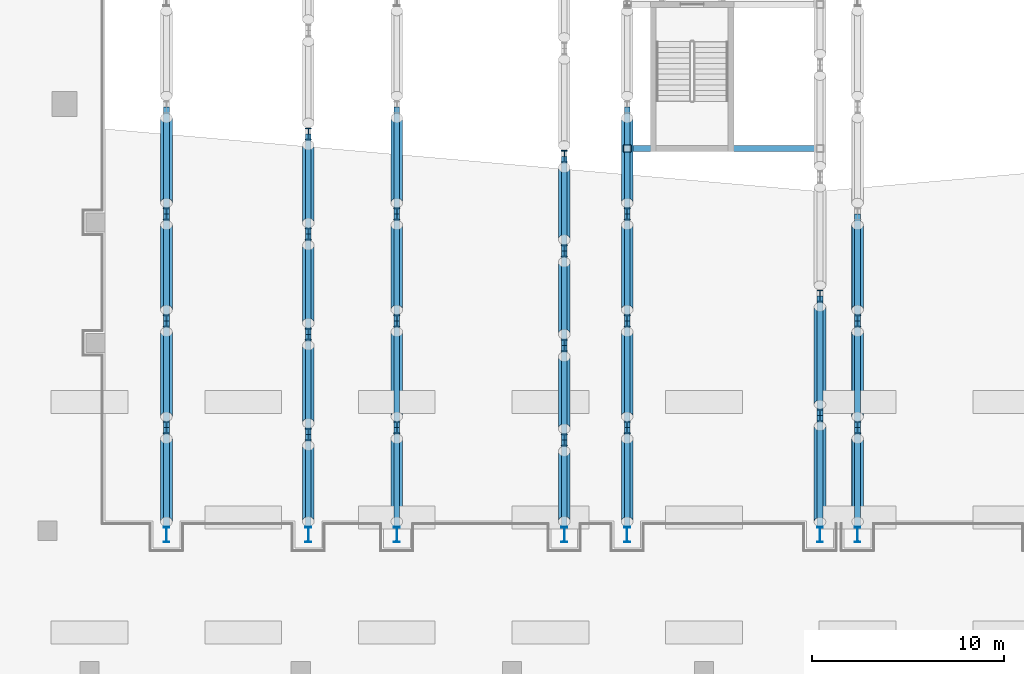
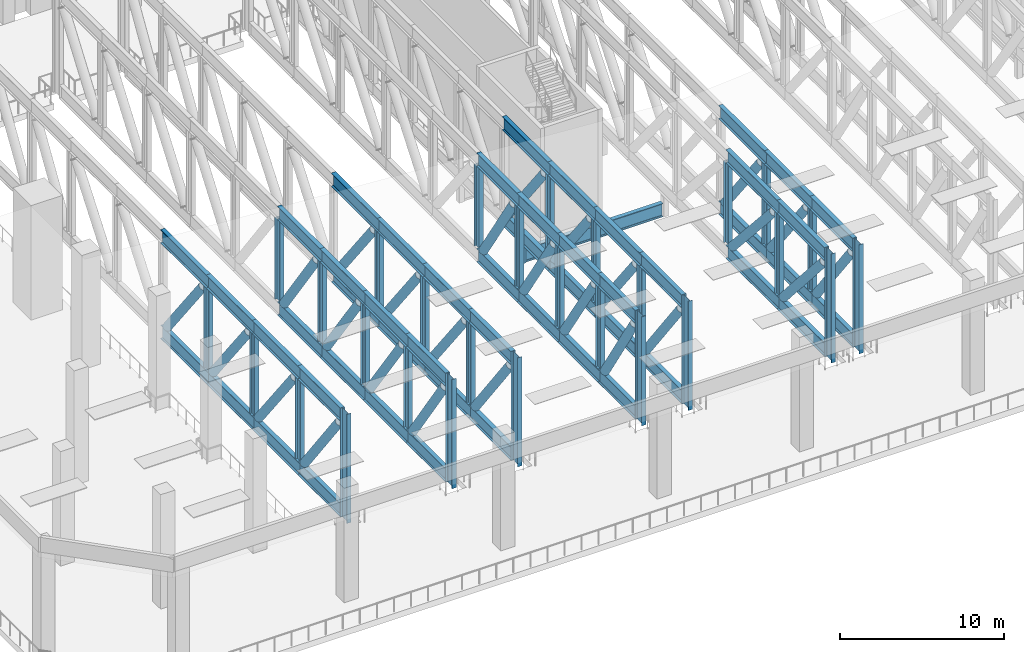
# One storey, part 2 of 33: 104 members, 1 beam.
"""IFC4 building model written with IfcOpenShell, lengths in metres."""

from ifc_helpers import new_model, si_unit, direction, frame, origin, origin_2d, place, context, subcontext, project, spatial, hollow_rectangle, hollow_circle, i_section, extrude, material, material_profile, profile_set, type_object, element, save


model = new_model("IFC4")

# Units and contexts
model_context = context("Model", 3, precision=1e-05, world=origin(), true_north=direction((0.0, 1.0)))
body_context = subcontext(model_context, "Body", "Model", "MODEL_VIEW")
ifc_project = project(units=[si_unit("LENGTHUNIT", "METRE"), si_unit("AREAUNIT", "SQUARE_METRE"), si_unit("VOLUMEUNIT", "CUBIC_METRE"), si_unit("PLANEANGLEUNIT", "RADIAN"), si_unit("MASSUNIT", "GRAM", prefix="KILO")], contexts=[model_context])

# Site, building, storey
site_placement = place(None, origin())
site = spatial("IfcSite", under=ifc_project, at=site_placement, CompositionType="ELEMENT")
building_placement = place(site_placement, origin())
building = spatial("IfcBuilding", under=site, at=building_placement, Name="Wharfspan Tower", CompositionType="ELEMENT")
storey_placement = place(building_placement, frame((0.0, 0.0, 33.0)))
storey = spatial("IfcBuildingStorey", under=building, at=storey_placement, Name="L05", CompositionType="ELEMENT", Elevation=33.0)

# Beam
ifc_material_1 = material(Name="Steel S460M", Category="steel")
ifc_material_profile_1 = material_profile(ifc_material_1, i_section(OverallWidth=0.302002, OverallDepth=1.008057, WebThickness=0.020996, FlangeThickness=0.040039, FilletRadius=0.030029, at=origin_2d()))
ifc_profile_set_1 = profile_set([ifc_material_profile_1], Name="Steel S460M")
beam_type = type_object("IfcBeamType", Name="Transfer girder HE 1000 M", PredefinedType="BEAM", material=ifc_profile_set_1)
beam_placement = place(storey_placement, frame((36.199951, -1.789307, -0.954102), z_axis=(1.0, 0.0, 0.0), x_axis=(0.0, 1.0, 0.0)))
element("IfcBeam", 1, at=beam_placement, inside=storey, type_object=beam_type, Name="Transfer girder", PredefinedType="BEAM", context=body_context, shape_type="SweptSolid", body=[
    extrude(i_section(OverallWidth=0.302002, OverallDepth=1.008057, WebThickness=0.020996, FlangeThickness=0.040039, FilletRadius=0.030029, at=origin_2d()), origin(), (0.0, 0.0, 1.0), 9.64209),
])

# Members
ifc_material_2 = material(Name="Steel S460NH", Category="steel")
ifc_material_profile_2 = material_profile(ifc_material_2, hollow_rectangle(XDim=0.399902, YDim=0.399902, WallThickness=0.02002, InnerFilletRadius=0.02002, OuterFilletRadius=0.040039, at=origin_2d()))
ifc_profile_set_2 = profile_set([ifc_material_profile_2], Name="Steel S460NH")
member_type_1 = type_object("IfcMemberType", Name="Transfer hanger SHS 400x400x20", PredefinedType="POST", material=ifc_profile_set_2)
member_1_placement = place(storey_placement, frame((36.0, -1.789307, -1.458008), z_axis=(0.0, 0.0, 1.0), x_axis=(1.0, 0.0, 0.0)))
element("IfcMember", 2, at=member_1_placement, inside=storey, type_object=member_type_1, Name="Transfer hanger", PredefinedType="POST", context=body_context, shape_type="SweptSolid", body=[
    extrude(hollow_rectangle(XDim=0.399902, YDim=0.399902, WallThickness=0.02002, InnerFilletRadius=0.02002, OuterFilletRadius=0.040039, at=origin_2d()), origin(), (0.0, 0.0, 1.0), 1.458008),
])
ifc_material_profile_3 = material_profile(ifc_material_2, hollow_circle(Radius=0.304932, WallThickness=0.030029, at=origin_2d()))
ifc_profile_set_3 = profile_set([ifc_material_profile_3], Name="Steel S460NH")
member_type_2 = type_object("IfcMemberType", Name="Truss member CHS 610x30", PredefinedType="BRACE", material=ifc_profile_set_3)
member_2_placement = place(storey_placement, frame((12.0, -21.223389, 6.915283), z_axis=(0.0, 0.601154, -0.799133), x_axis=(-1.0, 0.0, 0.0)))
element("IfcMember", 3, at=member_2_placement, inside=storey, type_object=member_type_2, Name="Truss diagonal T1", PredefinedType="BRACE", context=body_context, shape_type="SweptSolid", body=[
    extrude(hollow_circle(Radius=0.304932, WallThickness=0.030029, at=origin_2d()), origin(), (0.0, 0.0, 1.0), 7.170898),
])
member_3_placement = place(storey_placement, frame((12.0, -15.755127, 6.912598), z_axis=(0.0, 0.610274, -0.792191), x_axis=(-1.0, 0.0, 0.0)))
element("IfcMember", 4, at=member_3_placement, inside=storey, type_object=member_type_2, Name="Truss diagonal T1", PredefinedType="BRACE", context=body_context, shape_type="SweptSolid", body=[
    extrude(hollow_circle(Radius=0.304932, WallThickness=0.030029, at=origin_2d()), origin(), (0.0, 0.0, 1.0), 7.226807),
])
member_4_placement = place(storey_placement, frame((12.0, -10.189209, 6.912598), z_axis=(0.0, 0.610359, -0.792125), x_axis=(-1.0, 0.0, 0.0)))
element("IfcMember", 5, at=member_4_placement, inside=storey, type_object=member_type_2, Name="Truss diagonal T1", PredefinedType="BRACE", context=body_context, shape_type="SweptSolid", body=[
    extrude(hollow_circle(Radius=0.304932, WallThickness=0.030029, at=origin_2d()), origin(), (0.0, 0.0, 1.0), 7.227539),
])
member_5_placement = place(storey_placement, frame((12.0, -4.622314, 6.912598), z_axis=(0.0, 0.61038, -0.792109), x_axis=(-1.0, 0.0, 0.0)))
element("IfcMember", 6, at=member_5_placement, inside=storey, type_object=member_type_2, Name="Truss diagonal T1", PredefinedType="BRACE", context=body_context, shape_type="SweptSolid", body=[
    extrude(hollow_circle(Radius=0.304932, WallThickness=0.030029, at=origin_2d()), origin(), (0.0, 0.0, 1.0), 7.227783),
])
member_6_placement = place(storey_placement, frame((19.391113, -21.216553, 6.925537), z_axis=(0.0, 0.565877, -0.82449), x_axis=(-1.0, 0.0, 0.0)))
element("IfcMember", 7, at=member_6_placement, inside=storey, type_object=member_type_2, Name="Truss diagonal T2", PredefinedType="BRACE", context=body_context, shape_type="SweptSolid", body=[
    extrude(hollow_circle(Radius=0.304932, WallThickness=0.030029, at=origin_2d()), origin(), (0.0, 0.0, 1.0), 6.975586),
])
member_7_placement = place(storey_placement, frame((19.391113, -16.098389, 6.922607), z_axis=(0.0, 0.575859, -0.817549), x_axis=(-1.0, 0.0, 0.0)))
element("IfcMember", 8, at=member_7_placement, inside=storey, type_object=member_type_2, Name="Truss diagonal T2", PredefinedType="BRACE", context=body_context, shape_type="SweptSolid", body=[
    extrude(hollow_circle(Radius=0.304932, WallThickness=0.030029, at=origin_2d()), origin(), (0.0, 0.0, 1.0), 7.027588),
])
member_8_placement = place(storey_placement, frame((19.391113, -10.882568, 6.922607), z_axis=(0.0, 0.575975, -0.817467), x_axis=(-1.0, 0.0, 0.0)))
element("IfcMember", 9, at=member_8_placement, inside=storey, type_object=member_type_2, Name="Truss diagonal T2", PredefinedType="BRACE", context=body_context, shape_type="SweptSolid", body=[
    extrude(hollow_circle(Radius=0.304932, WallThickness=0.030029, at=origin_2d()), origin(), (0.0, 0.0, 1.0), 7.02832),
])
member_9_placement = place(storey_placement, frame((19.391113, -5.665527, 6.922607), z_axis=(0.0, 0.575882, -0.817533), x_axis=(-1.0, 0.0, 0.0)))
element("IfcMember", 10, at=member_9_placement, inside=storey, type_object=member_type_2, Name="Truss diagonal T2", PredefinedType="BRACE", context=body_context, shape_type="SweptSolid", body=[
    extrude(hollow_circle(Radius=0.304932, WallThickness=0.030029, at=origin_2d()), origin(), (0.0, 0.0, 1.0), 7.027588),
])
member_10_placement = place(storey_placement, frame((24.0, -21.223389, 6.915283), z_axis=(0.0, 0.601154, -0.799133), x_axis=(-1.0, 0.0, 0.0)))
element("IfcMember", 11, at=member_10_placement, inside=storey, type_object=member_type_2, Name="Truss diagonal T3", PredefinedType="BRACE", context=body_context, shape_type="SweptSolid", body=[
    extrude(hollow_circle(Radius=0.304932, WallThickness=0.030029, at=origin_2d()), origin(), (0.0, 0.0, 1.0), 7.170898),
])
member_11_placement = place(storey_placement, frame((24.0, -15.755127, 6.912598), z_axis=(0.0, 0.610274, -0.792191), x_axis=(-1.0, 0.0, 0.0)))
element("IfcMember", 12, at=member_11_placement, inside=storey, type_object=member_type_2, Name="Truss diagonal T3", PredefinedType="BRACE", context=body_context, shape_type="SweptSolid", body=[
    extrude(hollow_circle(Radius=0.304932, WallThickness=0.030029, at=origin_2d()), origin(), (0.0, 0.0, 1.0), 7.226807),
])
member_12_placement = place(storey_placement, frame((24.0, -10.189209, 6.912598), z_axis=(0.0, 0.610359, -0.792125), x_axis=(-1.0, 0.0, 0.0)))
element("IfcMember", 13, at=member_12_placement, inside=storey, type_object=member_type_2, Name="Truss diagonal T3", PredefinedType="BRACE", context=body_context, shape_type="SweptSolid", body=[
    extrude(hollow_circle(Radius=0.304932, WallThickness=0.030029, at=origin_2d()), origin(), (0.0, 0.0, 1.0), 7.227539),
])
member_13_placement = place(storey_placement, frame((24.0, -4.622314, 6.912598), z_axis=(0.0, 0.61038, -0.792109), x_axis=(-1.0, 0.0, 0.0)))
element("IfcMember", 14, at=member_13_placement, inside=storey, type_object=member_type_2, Name="Truss diagonal T3", PredefinedType="BRACE", context=body_context, shape_type="SweptSolid", body=[
    extrude(hollow_circle(Radius=0.304932, WallThickness=0.030029, at=origin_2d()), origin(), (0.0, 0.0, 1.0), 7.227783),
])
member_14_placement = place(storey_placement, frame((32.724121, -21.210938, 6.934814), z_axis=(0.0, 0.53399, -0.845491), x_axis=(-1.0, 0.0, 0.0)))
element("IfcMember", 15, at=member_14_placement, inside=storey, type_object=member_type_2, Name="Truss diagonal T4", PredefinedType="BRACE", context=body_context, shape_type="SweptSolid", body=[
    extrude(hollow_circle(Radius=0.304932, WallThickness=0.030029, at=origin_2d()), origin(), (0.0, 0.0, 1.0), 6.824219),
])
member_15_placement = place(storey_placement, frame((32.724121, -16.384766, 6.931641), z_axis=(0.0, 0.544825, -0.83855), x_axis=(-1.0, 0.0, 0.0)))
element("IfcMember", 16, at=member_15_placement, inside=storey, type_object=member_type_2, Name="Truss diagonal T4", PredefinedType="BRACE", context=body_context, shape_type="SweptSolid", body=[
    extrude(hollow_circle(Radius=0.304932, WallThickness=0.030029, at=origin_2d()), origin(), (0.0, 0.0, 1.0), 6.873047),
])
for number, where, z_axis, x_axis, name in (
    (17, (32.724121, -11.459961, 6.931641), (0.0, 0.54485, -0.838534), (-1.0, 0.0, 0.0), "Truss diagonal T4"),
    (18, (32.724121, -6.534912, 6.931641), (0.0, 0.54485, -0.838534), (-1.0, 0.0, 0.0), "Truss diagonal T4"),
):
    element("IfcMember", number, at=place(storey_placement, frame(where, z_axis=z_axis, x_axis=x_axis)), inside=storey, type_object=member_type_2, Name=name, PredefinedType="BRACE", context=body_context, shape_type="SweptSolid", body=[
        extrude(hollow_circle(Radius=0.304932, WallThickness=0.030029, at=origin_2d()), origin(), (0.0, 0.0, 1.0), 6.873291),
    ])
member_16_placement = place(storey_placement, frame((36.0, -21.223389, 6.915283), z_axis=(0.0, 0.601154, -0.799133), x_axis=(-1.0, 0.0, 0.0)))
element("IfcMember", 19, at=member_16_placement, inside=storey, type_object=member_type_2, Name="Truss diagonal T5", PredefinedType="BRACE", context=body_context, shape_type="SweptSolid", body=[
    extrude(hollow_circle(Radius=0.304932, WallThickness=0.030029, at=origin_2d()), origin(), (0.0, 0.0, 1.0), 7.170898),
])
member_17_placement = place(storey_placement, frame((36.0, -15.755127, 6.912598), z_axis=(0.0, 0.610274, -0.792191), x_axis=(-1.0, 0.0, 0.0)))
element("IfcMember", 20, at=member_17_placement, inside=storey, type_object=member_type_2, Name="Truss diagonal T5", PredefinedType="BRACE", context=body_context, shape_type="SweptSolid", body=[
    extrude(hollow_circle(Radius=0.304932, WallThickness=0.030029, at=origin_2d()), origin(), (0.0, 0.0, 1.0), 7.226807),
])
member_18_placement = place(storey_placement, frame((36.0, -10.189209, 6.912598), z_axis=(0.0, 0.610359, -0.792125), x_axis=(-1.0, 0.0, 0.0)))
element("IfcMember", 21, at=member_18_placement, inside=storey, type_object=member_type_2, Name="Truss diagonal T5", PredefinedType="BRACE", context=body_context, shape_type="SweptSolid", body=[
    extrude(hollow_circle(Radius=0.304932, WallThickness=0.030029, at=origin_2d()), origin(), (0.0, 0.0, 1.0), 7.227539),
])
member_19_placement = place(storey_placement, frame((36.0, -4.622314, 6.912598), z_axis=(0.0, 0.61038, -0.792109), x_axis=(-1.0, 0.0, 0.0)))
element("IfcMember", 22, at=member_19_placement, inside=storey, type_object=member_type_2, Name="Truss diagonal T5", PredefinedType="BRACE", context=body_context, shape_type="SweptSolid", body=[
    extrude(hollow_circle(Radius=0.304932, WallThickness=0.030029, at=origin_2d()), origin(), (0.0, 0.0, 1.0), 7.227783),
])
member_20_placement = place(storey_placement, frame((46.041992, -21.235596, 6.898438), z_axis=(0.0, 0.65808, -0.752948), x_axis=(-1.0, 0.0, 0.0)))
element("IfcMember", 23, at=member_20_placement, inside=storey, type_object=member_type_2, Name="Truss diagonal T6", PredefinedType="BRACE", context=body_context, shape_type="SweptSolid", body=[
    extrude(hollow_circle(Radius=0.304932, WallThickness=0.030029, at=origin_2d()), origin(), (0.0, 0.0, 1.0), 7.565918),
])
member_21_placement = place(storey_placement, frame((46.041992, -15.123291, 6.89624), z_axis=(0.0, 0.665733, -0.74619), x_axis=(-1.0, 0.0, 0.0)))
element("IfcMember", 24, at=member_21_placement, inside=storey, type_object=member_type_2, Name="Truss diagonal T6", PredefinedType="BRACE", context=body_context, shape_type="SweptSolid", body=[
    extrude(hollow_circle(Radius=0.304932, WallThickness=0.030029, at=origin_2d()), origin(), (0.0, 0.0, 1.0), 7.628662),
])
member_22_placement = place(storey_placement, frame((48.0, -21.223389, 6.915283), z_axis=(0.0, 0.601154, -0.799133), x_axis=(-1.0, 0.0, 0.0)))
element("IfcMember", 25, at=member_22_placement, inside=storey, type_object=member_type_2, Name="Truss diagonal T7", PredefinedType="BRACE", context=body_context, shape_type="SweptSolid", body=[
    extrude(hollow_circle(Radius=0.304932, WallThickness=0.030029, at=origin_2d()), origin(), (0.0, 0.0, 1.0), 7.170898),
])
member_23_placement = place(storey_placement, frame((48.0, -15.755127, 6.912598), z_axis=(0.0, 0.610274, -0.792191), x_axis=(-1.0, 0.0, 0.0)))
element("IfcMember", 26, at=member_23_placement, inside=storey, type_object=member_type_2, Name="Truss diagonal T7", PredefinedType="BRACE", context=body_context, shape_type="SweptSolid", body=[
    extrude(hollow_circle(Radius=0.304932, WallThickness=0.030029, at=origin_2d()), origin(), (0.0, 0.0, 1.0), 7.226807),
])
member_24_placement = place(storey_placement, frame((48.0, -10.189209, 6.912598), z_axis=(0.0, 0.610359, -0.792125), x_axis=(-1.0, 0.0, 0.0)))
element("IfcMember", 27, at=member_24_placement, inside=storey, type_object=member_type_2, Name="Truss diagonal T7", PredefinedType="BRACE", context=body_context, shape_type="SweptSolid", body=[
    extrude(hollow_circle(Radius=0.304932, WallThickness=0.030029, at=origin_2d()), origin(), (0.0, 0.0, 1.0), 7.227539),
])
ifc_material_profile_4 = material_profile(ifc_material_1, i_section(OverallWidth=0.302002, OverallDepth=1.008057, WebThickness=0.020996, FlangeThickness=0.040039, FilletRadius=0.030029, at=origin_2d()))
ifc_profile_set_4 = profile_set([ifc_material_profile_4], Name="Steel S460M")
member_type_3 = type_object("IfcMemberType", Name="Truss member HE 1000 M", PredefinedType="CHORD", material=ifc_profile_set_4)
for number, where, z_axis, x_axis, name in (
    (28, (12.0, -21.49292, 7.595947), (0.0, 1.0, 0.0), (-1.0, 0.0, 0.0), "Top chord T1"),
    (29, (12.0, -21.49292, 0.503906), (0.0, 1.0, 0.0), (-1.0, 0.0, 0.0), "Bottom chord T1"),
):
    element("IfcMember", number, at=place(storey_placement, frame(where, z_axis=z_axis, x_axis=x_axis)), inside=storey, type_object=member_type_3, Name=name, PredefinedType="CHORD", context=body_context, shape_type="SweptSolid", body=[
        extrude(i_section(OverallWidth=0.302002, OverallDepth=1.008057, WebThickness=0.020996, FlangeThickness=0.040039, FilletRadius=0.030029, at=origin_2d()), origin(), (0.0, 0.0, 1.0), 5.159912),
    ])
for number, where, z_axis, x_axis, name in (
    (30, (12.0, -16.333008, 7.595947), (0.0, 1.0, 0.0), (-1.0, 0.0, 0.0), "Top chord T1"),
    (31, (12.0, -16.333008, 0.503906), (0.0, 1.0, 0.0), (-1.0, 0.0, 0.0), "Bottom chord T1"),
):
    element("IfcMember", number, at=place(storey_placement, frame(where, z_axis=z_axis, x_axis=x_axis)), inside=storey, type_object=member_type_3, Name=name, PredefinedType="CHORD", context=body_context, shape_type="SweptSolid", body=[
        extrude(i_section(OverallWidth=0.302002, OverallDepth=1.008057, WebThickness=0.020996, FlangeThickness=0.040039, FilletRadius=0.030029, at=origin_2d()), origin(), (0.0, 0.0, 1.0), 5.565918),
    ])
for number, where, z_axis, x_axis, name in (
    (32, (12.0, -10.76709, 7.595947), (0.0, 1.0, 0.0), (-1.0, 0.0, 0.0), "Top chord T1"),
    (33, (12.0, -10.76709, 0.503906), (0.0, 1.0, 0.0), (-1.0, 0.0, 0.0), "Bottom chord T1"),
):
    element("IfcMember", number, at=place(storey_placement, frame(where, z_axis=z_axis, x_axis=x_axis)), inside=storey, type_object=member_type_3, Name=name, PredefinedType="CHORD", context=body_context, shape_type="SweptSolid", body=[
        extrude(i_section(OverallWidth=0.302002, OverallDepth=1.008057, WebThickness=0.020996, FlangeThickness=0.040039, FilletRadius=0.030029, at=origin_2d()), origin(), (0.0, 0.0, 1.0), 5.567139),
    ])
for number, where, z_axis, x_axis, name in (
    (34, (12.0, -5.199951, 7.595947), (0.0, 1.0, 0.0), (-1.0, 0.0, 0.0), "Top chord T1"),
    (35, (12.0, -5.199951, 0.503906), (0.0, 1.0, 0.0), (-1.0, 0.0, 0.0), "Bottom chord T1"),
):
    element("IfcMember", number, at=place(storey_placement, frame(where, z_axis=z_axis, x_axis=x_axis)), inside=storey, type_object=member_type_3, Name=name, PredefinedType="CHORD", context=body_context, shape_type="SweptSolid", body=[
        extrude(i_section(OverallWidth=0.302002, OverallDepth=1.008057, WebThickness=0.020996, FlangeThickness=0.040039, FilletRadius=0.030029, at=origin_2d()), origin(), (0.0, 0.0, 1.0), 5.566895),
    ])
for number, where, z_axis, x_axis, name in (
    (36, (19.391113, -21.49292, 7.595947), (0.0, 1.0, 0.0), (-1.0, 0.0, 0.0), "Top chord T2"),
    (37, (19.391113, -21.49292, 0.503906), (0.0, 1.0, 0.0), (-1.0, 0.0, 0.0), "Bottom chord T2"),
):
    element("IfcMember", number, at=place(storey_placement, frame(where, z_axis=z_axis, x_axis=x_axis)), inside=storey, type_object=member_type_3, Name=name, PredefinedType="CHORD", context=body_context, shape_type="SweptSolid", body=[
        extrude(i_section(OverallWidth=0.302002, OverallDepth=1.008057, WebThickness=0.020996, FlangeThickness=0.040039, FilletRadius=0.030029, at=origin_2d()), origin(), (0.0, 0.0, 1.0), 4.809814),
    ])
for number, where, z_axis, x_axis, name in (
    (38, (19.391113, -16.683105, 7.595947), (0.0, 1.0, 0.0), (-1.0, 0.0, 0.0), "Top chord T2"),
    (39, (19.391113, -16.683105, 0.503906), (0.0, 1.0, 0.0), (-1.0, 0.0, 0.0), "Bottom chord T2"),
):
    element("IfcMember", number, at=place(storey_placement, frame(where, z_axis=z_axis, x_axis=x_axis)), inside=storey, type_object=member_type_3, Name=name, PredefinedType="CHORD", context=body_context, shape_type="SweptSolid", body=[
        extrude(i_section(OverallWidth=0.302002, OverallDepth=1.008057, WebThickness=0.020996, FlangeThickness=0.040039, FilletRadius=0.030029, at=origin_2d()), origin(), (0.0, 0.0, 1.0), 5.216064),
    ])
for number, where, z_axis, x_axis, name in (
    (40, (19.391113, -11.467041, 7.595947), (0.0, 1.0, 0.0), (-1.0, 0.0, 0.0), "Top chord T2"),
    (41, (19.391113, -11.467041, 0.503906), (0.0, 1.0, 0.0), (-1.0, 0.0, 0.0), "Bottom chord T2"),
):
    element("IfcMember", number, at=place(storey_placement, frame(where, z_axis=z_axis, x_axis=x_axis)), inside=storey, type_object=member_type_3, Name=name, PredefinedType="CHORD", context=body_context, shape_type="SweptSolid", body=[
        extrude(i_section(OverallWidth=0.302002, OverallDepth=1.008057, WebThickness=0.020996, FlangeThickness=0.040039, FilletRadius=0.030029, at=origin_2d()), origin(), (0.0, 0.0, 1.0), 5.217041),
    ])
for number, where, z_axis, x_axis, name in (
    (42, (19.391113, -6.25, 7.595947), (0.0, 1.0, 0.0), (-1.0, 0.0, 0.0), "Top chord T2"),
    (43, (19.391113, -6.25, 0.503906), (0.0, 1.0, 0.0), (-1.0, 0.0, 0.0), "Bottom chord T2"),
):
    element("IfcMember", number, at=place(storey_placement, frame(where, z_axis=z_axis, x_axis=x_axis)), inside=storey, type_object=member_type_3, Name=name, PredefinedType="CHORD", context=body_context, shape_type="SweptSolid", body=[
        extrude(i_section(OverallWidth=0.302002, OverallDepth=1.008057, WebThickness=0.020996, FlangeThickness=0.040039, FilletRadius=0.030029, at=origin_2d()), origin(), (0.0, 0.0, 1.0), 5.216064),
    ])
for number, where, z_axis, x_axis, name in (
    (44, (24.0, -21.49292, 7.595947), (0.0, 1.0, 0.0), (-1.0, 0.0, 0.0), "Top chord T3"),
    (45, (24.0, -21.49292, 0.503906), (0.0, 1.0, 0.0), (-1.0, 0.0, 0.0), "Bottom chord T3"),
):
    element("IfcMember", number, at=place(storey_placement, frame(where, z_axis=z_axis, x_axis=x_axis)), inside=storey, type_object=member_type_3, Name=name, PredefinedType="CHORD", context=body_context, shape_type="SweptSolid", body=[
        extrude(i_section(OverallWidth=0.302002, OverallDepth=1.008057, WebThickness=0.020996, FlangeThickness=0.040039, FilletRadius=0.030029, at=origin_2d()), origin(), (0.0, 0.0, 1.0), 5.159912),
    ])
for number, where, z_axis, x_axis, name in (
    (46, (24.0, -16.333008, 7.595947), (0.0, 1.0, 0.0), (-1.0, 0.0, 0.0), "Top chord T3"),
    (47, (24.0, -16.333008, 0.503906), (0.0, 1.0, 0.0), (-1.0, 0.0, 0.0), "Bottom chord T3"),
):
    element("IfcMember", number, at=place(storey_placement, frame(where, z_axis=z_axis, x_axis=x_axis)), inside=storey, type_object=member_type_3, Name=name, PredefinedType="CHORD", context=body_context, shape_type="SweptSolid", body=[
        extrude(i_section(OverallWidth=0.302002, OverallDepth=1.008057, WebThickness=0.020996, FlangeThickness=0.040039, FilletRadius=0.030029, at=origin_2d()), origin(), (0.0, 0.0, 1.0), 5.565918),
    ])
for number, where, z_axis, x_axis, name in (
    (48, (24.0, -10.76709, 7.595947), (0.0, 1.0, 0.0), (-1.0, 0.0, 0.0), "Top chord T3"),
    (49, (24.0, -10.76709, 0.503906), (0.0, 1.0, 0.0), (-1.0, 0.0, 0.0), "Bottom chord T3"),
):
    element("IfcMember", number, at=place(storey_placement, frame(where, z_axis=z_axis, x_axis=x_axis)), inside=storey, type_object=member_type_3, Name=name, PredefinedType="CHORD", context=body_context, shape_type="SweptSolid", body=[
        extrude(i_section(OverallWidth=0.302002, OverallDepth=1.008057, WebThickness=0.020996, FlangeThickness=0.040039, FilletRadius=0.030029, at=origin_2d()), origin(), (0.0, 0.0, 1.0), 5.567139),
    ])
for number, where, z_axis, x_axis, name in (
    (50, (24.0, -5.199951, 7.595947), (0.0, 1.0, 0.0), (-1.0, 0.0, 0.0), "Top chord T3"),
    (51, (24.0, -5.199951, 0.503906), (0.0, 1.0, 0.0), (-1.0, 0.0, 0.0), "Bottom chord T3"),
):
    element("IfcMember", number, at=place(storey_placement, frame(where, z_axis=z_axis, x_axis=x_axis)), inside=storey, type_object=member_type_3, Name=name, PredefinedType="CHORD", context=body_context, shape_type="SweptSolid", body=[
        extrude(i_section(OverallWidth=0.302002, OverallDepth=1.008057, WebThickness=0.020996, FlangeThickness=0.040039, FilletRadius=0.030029, at=origin_2d()), origin(), (0.0, 0.0, 1.0), 5.566895),
    ])
for number, where, z_axis, x_axis, name in (
    (52, (32.724121, -21.49292, 7.595947), (0.0, 1.0, 0.0), (-1.0, 0.0, 0.0), "Top chord T4"),
    (53, (32.724121, -21.49292, 0.503906), (0.0, 1.0, 0.0), (-1.0, 0.0, 0.0), "Bottom chord T4"),
):
    element("IfcMember", number, at=place(storey_placement, frame(where, z_axis=z_axis, x_axis=x_axis)), inside=storey, type_object=member_type_3, Name=name, PredefinedType="CHORD", context=body_context, shape_type="SweptSolid", body=[
        extrude(i_section(OverallWidth=0.302002, OverallDepth=1.008057, WebThickness=0.020996, FlangeThickness=0.040039, FilletRadius=0.030029, at=origin_2d()), origin(), (0.0, 0.0, 1.0), 4.517822),
    ])
for number, where, z_axis, x_axis, name in (
    (54, (32.724121, -16.975098, 7.595947), (0.0, 1.0, 0.0), (-1.0, 0.0, 0.0), "Top chord T4"),
    (55, (32.724121, -16.975098, 0.503906), (0.0, 1.0, 0.0), (-1.0, 0.0, 0.0), "Bottom chord T4"),
    (56, (32.724121, -12.050049, 7.595947), (0.0, 1.0, 0.0), (-1.0, 0.0, 0.0), "Top chord T4"),
    (57, (32.724121, -12.050049, 0.503906), (0.0, 1.0, 0.0), (-1.0, 0.0, 0.0), "Bottom chord T4"),
    (58, (32.724121, -7.125, 7.595947), (0.0, 1.0, 0.0), (-1.0, 0.0, 0.0), "Top chord T4"),
    (59, (32.724121, -7.125, 0.503906), (0.0, 1.0, 0.0), (-1.0, 0.0, 0.0), "Bottom chord T4"),
):
    element("IfcMember", number, at=place(storey_placement, frame(where, z_axis=z_axis, x_axis=x_axis)), inside=storey, type_object=member_type_3, Name=name, PredefinedType="CHORD", context=body_context, shape_type="SweptSolid", body=[
        extrude(i_section(OverallWidth=0.302002, OverallDepth=1.008057, WebThickness=0.020996, FlangeThickness=0.040039, FilletRadius=0.030029, at=origin_2d()), origin(), (0.0, 0.0, 1.0), 4.925049),
    ])
for number, where, z_axis, x_axis, name in (
    (60, (36.0, -21.49292, 7.595947), (0.0, 1.0, 0.0), (-1.0, 0.0, 0.0), "Top chord T5"),
    (61, (36.0, -21.49292, 0.503906), (0.0, 1.0, 0.0), (-1.0, 0.0, 0.0), "Bottom chord T5"),
):
    element("IfcMember", number, at=place(storey_placement, frame(where, z_axis=z_axis, x_axis=x_axis)), inside=storey, type_object=member_type_3, Name=name, PredefinedType="CHORD", context=body_context, shape_type="SweptSolid", body=[
        extrude(i_section(OverallWidth=0.302002, OverallDepth=1.008057, WebThickness=0.020996, FlangeThickness=0.040039, FilletRadius=0.030029, at=origin_2d()), origin(), (0.0, 0.0, 1.0), 5.159912),
    ])
for number, where, z_axis, x_axis, name in (
    (62, (36.0, -16.333008, 7.595947), (0.0, 1.0, 0.0), (-1.0, 0.0, 0.0), "Top chord T5"),
    (63, (36.0, -16.333008, 0.503906), (0.0, 1.0, 0.0), (-1.0, 0.0, 0.0), "Bottom chord T5"),
):
    element("IfcMember", number, at=place(storey_placement, frame(where, z_axis=z_axis, x_axis=x_axis)), inside=storey, type_object=member_type_3, Name=name, PredefinedType="CHORD", context=body_context, shape_type="SweptSolid", body=[
        extrude(i_section(OverallWidth=0.302002, OverallDepth=1.008057, WebThickness=0.020996, FlangeThickness=0.040039, FilletRadius=0.030029, at=origin_2d()), origin(), (0.0, 0.0, 1.0), 5.565918),
    ])
for number, where, z_axis, x_axis, name in (
    (64, (36.0, -10.76709, 7.595947), (0.0, 1.0, 0.0), (-1.0, 0.0, 0.0), "Top chord T5"),
    (65, (36.0, -10.76709, 0.503906), (0.0, 1.0, 0.0), (-1.0, 0.0, 0.0), "Bottom chord T5"),
):
    element("IfcMember", number, at=place(storey_placement, frame(where, z_axis=z_axis, x_axis=x_axis)), inside=storey, type_object=member_type_3, Name=name, PredefinedType="CHORD", context=body_context, shape_type="SweptSolid", body=[
        extrude(i_section(OverallWidth=0.302002, OverallDepth=1.008057, WebThickness=0.020996, FlangeThickness=0.040039, FilletRadius=0.030029, at=origin_2d()), origin(), (0.0, 0.0, 1.0), 5.567139),
    ])
for number, where, z_axis, x_axis, name in (
    (66, (36.0, -5.199951, 7.595947), (0.0, 1.0, 0.0), (-1.0, 0.0, 0.0), "Top chord T5"),
    (67, (36.0, -5.199951, 0.503906), (0.0, 1.0, 0.0), (-1.0, 0.0, 0.0), "Bottom chord T5"),
):
    element("IfcMember", number, at=place(storey_placement, frame(where, z_axis=z_axis, x_axis=x_axis)), inside=storey, type_object=member_type_3, Name=name, PredefinedType="CHORD", context=body_context, shape_type="SweptSolid", body=[
        extrude(i_section(OverallWidth=0.302002, OverallDepth=1.008057, WebThickness=0.020996, FlangeThickness=0.040039, FilletRadius=0.030029, at=origin_2d()), origin(), (0.0, 0.0, 1.0), 5.566895),
    ])
for number, where, z_axis, x_axis, name in (
    (68, (46.041992, -21.49292, 7.595947), (0.0, 1.0, 0.0), (-1.0, 0.0, 0.0), "Top chord T6"),
    (69, (46.041992, -21.49292, 0.503906), (0.0, 1.0, 0.0), (-1.0, 0.0, 0.0), "Bottom chord T6"),
):
    element("IfcMember", number, at=place(storey_placement, frame(where, z_axis=z_axis, x_axis=x_axis)), inside=storey, type_object=member_type_3, Name=name, PredefinedType="CHORD", context=body_context, shape_type="SweptSolid", body=[
        extrude(i_section(OverallWidth=0.302002, OverallDepth=1.008057, WebThickness=0.020996, FlangeThickness=0.040039, FilletRadius=0.030029, at=origin_2d()), origin(), (0.0, 0.0, 1.0), 5.803955),
    ])
for number, where, z_axis, x_axis, name in (
    (70, (46.041992, -15.688965, 7.595947), (0.0, 1.0, 0.0), (-1.0, 0.0, 0.0), "Top chord T6"),
    (71, (46.041992, -15.688965, 0.503906), (0.0, 1.0, 0.0), (-1.0, 0.0, 0.0), "Bottom chord T6"),
):
    element("IfcMember", number, at=place(storey_placement, frame(where, z_axis=z_axis, x_axis=x_axis)), inside=storey, type_object=member_type_3, Name=name, PredefinedType="CHORD", context=body_context, shape_type="SweptSolid", body=[
        extrude(i_section(OverallWidth=0.302002, OverallDepth=1.008057, WebThickness=0.020996, FlangeThickness=0.040039, FilletRadius=0.030029, at=origin_2d()), origin(), (0.0, 0.0, 1.0), 6.209961),
    ])
for number, where, z_axis, x_axis, name in (
    (72, (48.0, -21.49292, 7.595947), (0.0, 1.0, 0.0), (-1.0, 0.0, 0.0), "Top chord T7"),
    (73, (48.0, -21.49292, 0.503906), (0.0, 1.0, 0.0), (-1.0, 0.0, 0.0), "Bottom chord T7"),
):
    element("IfcMember", number, at=place(storey_placement, frame(where, z_axis=z_axis, x_axis=x_axis)), inside=storey, type_object=member_type_3, Name=name, PredefinedType="CHORD", context=body_context, shape_type="SweptSolid", body=[
        extrude(i_section(OverallWidth=0.302002, OverallDepth=1.008057, WebThickness=0.020996, FlangeThickness=0.040039, FilletRadius=0.030029, at=origin_2d()), origin(), (0.0, 0.0, 1.0), 5.159912),
    ])
for number, where, z_axis, x_axis, name in (
    (74, (48.0, -16.333008, 7.595947), (0.0, 1.0, 0.0), (-1.0, 0.0, 0.0), "Top chord T7"),
    (75, (48.0, -16.333008, 0.503906), (0.0, 1.0, 0.0), (-1.0, 0.0, 0.0), "Bottom chord T7"),
):
    element("IfcMember", number, at=place(storey_placement, frame(where, z_axis=z_axis, x_axis=x_axis)), inside=storey, type_object=member_type_3, Name=name, PredefinedType="CHORD", context=body_context, shape_type="SweptSolid", body=[
        extrude(i_section(OverallWidth=0.302002, OverallDepth=1.008057, WebThickness=0.020996, FlangeThickness=0.040039, FilletRadius=0.030029, at=origin_2d()), origin(), (0.0, 0.0, 1.0), 5.565918),
    ])
for number, where, z_axis, x_axis, name in (
    (76, (48.0, -10.76709, 7.595947), (0.0, 1.0, 0.0), (-1.0, 0.0, 0.0), "Top chord T7"),
    (77, (48.0, -10.76709, 0.503906), (0.0, 1.0, 0.0), (-1.0, 0.0, 0.0), "Bottom chord T7"),
):
    element("IfcMember", number, at=place(storey_placement, frame(where, z_axis=z_axis, x_axis=x_axis)), inside=storey, type_object=member_type_3, Name=name, PredefinedType="CHORD", context=body_context, shape_type="SweptSolid", body=[
        extrude(i_section(OverallWidth=0.302002, OverallDepth=1.008057, WebThickness=0.020996, FlangeThickness=0.040039, FilletRadius=0.030029, at=origin_2d()), origin(), (0.0, 0.0, 1.0), 5.567139),
    ])
ifc_material_profile_5 = material_profile(ifc_material_1, i_section(OverallWidth=0.304932, OverallDepth=0.620117, WebThickness=0.020996, FlangeThickness=0.040039, FilletRadius=0.0271, at=origin_2d()))
ifc_profile_set_5 = profile_set([ifc_material_profile_5], Name="Steel S460M")
member_type_4 = type_object("IfcMemberType", Name="Truss member HE 600 M", PredefinedType="CHORD", material=ifc_profile_set_5)
for number, where, z_axis, x_axis, name in (
    (78, (12.0, -16.333008, 1.008057), (0.0, 0.0, 1.0), (1.0, 0.0, 0.0), "Truss post T1"),
    (79, (12.0, -10.76709, 1.008057), (0.0, 0.0, 1.0), (1.0, 0.0, 0.0), "Truss post T1"),
    (80, (12.0, -5.199951, 1.008057), (0.0, 0.0, 1.0), (1.0, 0.0, 0.0), "Truss post T1"),
    (81, (19.391113, -16.683105, 1.008057), (0.0, 0.0, 1.0), (1.0, 0.0, 0.0), "Truss post T2"),
    (82, (19.391113, -11.467041, 1.008057), (0.0, 0.0, 1.0), (1.0, 0.0, 0.0), "Truss post T2"),
    (83, (19.391113, -6.25, 1.008057), (0.0, 0.0, 1.0), (1.0, 0.0, 0.0), "Truss post T2"),
    (84, (19.391113, -1.033936, 1.008057), (0.0, 0.0, 1.0), (1.0, 0.0, 0.0), "Truss post T2"),
    (85, (24.0, -16.333008, 1.008057), (0.0, 0.0, 1.0), (1.0, 0.0, 0.0), "Truss post T3"),
    (86, (24.0, -10.76709, 1.008057), (0.0, 0.0, 1.0), (1.0, 0.0, 0.0), "Truss post T3"),
    (87, (24.0, -5.199951, 1.008057), (0.0, 0.0, 1.0), (1.0, 0.0, 0.0), "Truss post T3"),
    (88, (32.724121, -16.975098, 1.008057), (0.0, 0.0, 1.0), (1.0, 0.0, 0.0), "Truss post T4"),
    (89, (32.724121, -12.050049, 1.008057), (0.0, 0.0, 1.0), (1.0, 0.0, 0.0), "Truss post T4"),
    (90, (32.724121, -7.125, 1.008057), (0.0, 0.0, 1.0), (1.0, 0.0, 0.0), "Truss post T4"),
    (91, (32.724121, -2.199951, 1.008057), (0.0, 0.0, 1.0), (1.0, 0.0, 0.0), "Truss post T4"),
    (92, (36.0, -16.333008, 1.008057), (0.0, 0.0, 1.0), (1.0, 0.0, 0.0), "Truss post T5"),
    (93, (36.0, -10.76709, 1.008057), (0.0, 0.0, 1.0), (1.0, 0.0, 0.0), "Truss post T5"),
    (94, (36.0, -5.199951, 1.008057), (0.0, 0.0, 1.0), (1.0, 0.0, 0.0), "Truss post T5"),
    (95, (46.041992, -15.688965, 1.008057), (0.0, 0.0, 1.0), (1.0, 0.0, 0.0), "Truss post T6"),
    (96, (46.041992, -9.479004, 1.008057), (0.0, 0.0, 1.0), (1.0, 0.0, 0.0), "Truss post T6"),
    (97, (48.0, -16.333008, 1.008057), (0.0, 0.0, 1.0), (1.0, 0.0, 0.0), "Truss post T7"),
    (98, (48.0, -10.76709, 1.008057), (0.0, 0.0, 1.0), (1.0, 0.0, 0.0), "Truss post T7"),
):
    element("IfcMember", number, at=place(storey_placement, frame(where, z_axis=z_axis, x_axis=x_axis)), inside=storey, type_object=member_type_4, Name=name, PredefinedType="CHORD", context=body_context, shape_type="SweptSolid", body=[
        extrude(i_section(OverallWidth=0.304932, OverallDepth=0.620117, WebThickness=0.020996, FlangeThickness=0.040039, FilletRadius=0.0271, at=origin_2d()), origin(), (0.0, 0.0, 1.0), 6.083984),
    ])
ifc_material_profile_6 = material_profile(ifc_material_1, i_section(OverallWidth=0.302979, OverallDepth=0.813965, WebThickness=0.020996, FlangeThickness=0.040039, FilletRadius=0.030029, at=origin_2d()))
ifc_profile_set_6 = profile_set([ifc_material_profile_6], Name="Steel S460M")
member_type_5 = type_object("IfcMemberType", Name="Truss member HE 800 M", PredefinedType="CHORD", material=ifc_profile_set_6)
for number, where, z_axis, x_axis, name in (
    (99, (12.0, -21.899902, 0.0), (0.0, 0.0, 1.0), (1.0, 0.0, 0.0), "Truss post T1"),
    (100, (19.391113, -21.899902, 0.0), (0.0, 0.0, 1.0), (1.0, 0.0, 0.0), "Truss post T2"),
    (101, (24.0, -21.899902, 0.0), (0.0, 0.0, 1.0), (1.0, 0.0, 0.0), "Truss post T3"),
    (102, (32.724121, -21.899902, 0.0), (0.0, 0.0, 1.0), (1.0, 0.0, 0.0), "Truss post T4"),
    (103, (36.0, -21.899902, 0.0), (0.0, 0.0, 1.0), (1.0, 0.0, 0.0), "Truss post T5"),
    (104, (46.041992, -21.899902, 0.0), (0.0, 0.0, 1.0), (1.0, 0.0, 0.0), "Truss post T6"),
    (105, (48.0, -21.899902, 0.0), (0.0, 0.0, 1.0), (1.0, 0.0, 0.0), "Truss post T7"),
):
    element("IfcMember", number, at=place(storey_placement, frame(where, z_axis=z_axis, x_axis=x_axis)), inside=storey, type_object=member_type_5, Name=name, PredefinedType="CHORD", context=body_context, shape_type="SweptSolid", body=[
        extrude(i_section(OverallWidth=0.302979, OverallDepth=0.813965, WebThickness=0.020996, FlangeThickness=0.040039, FilletRadius=0.030029, at=origin_2d()), origin(), (0.0, 0.0, 1.0), 8.100098),
    ])

save(model, "model.ifc")
